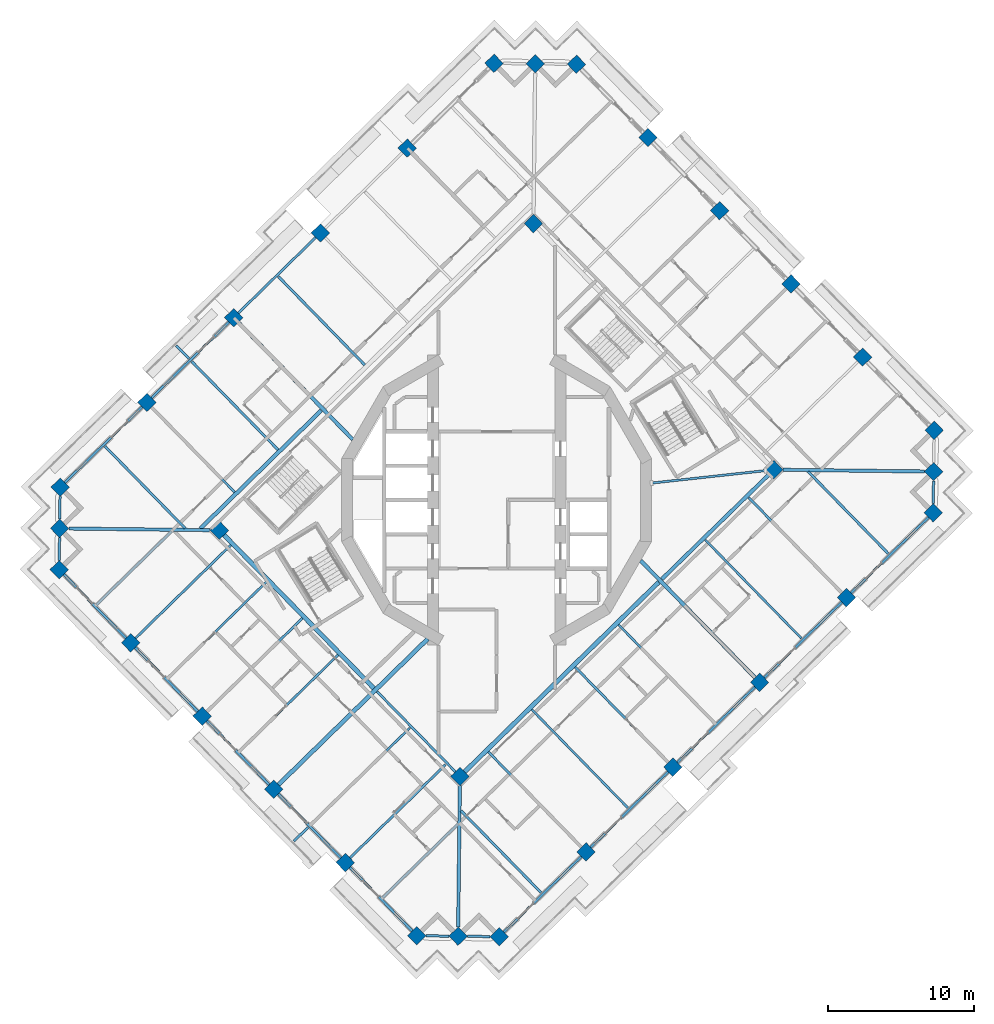
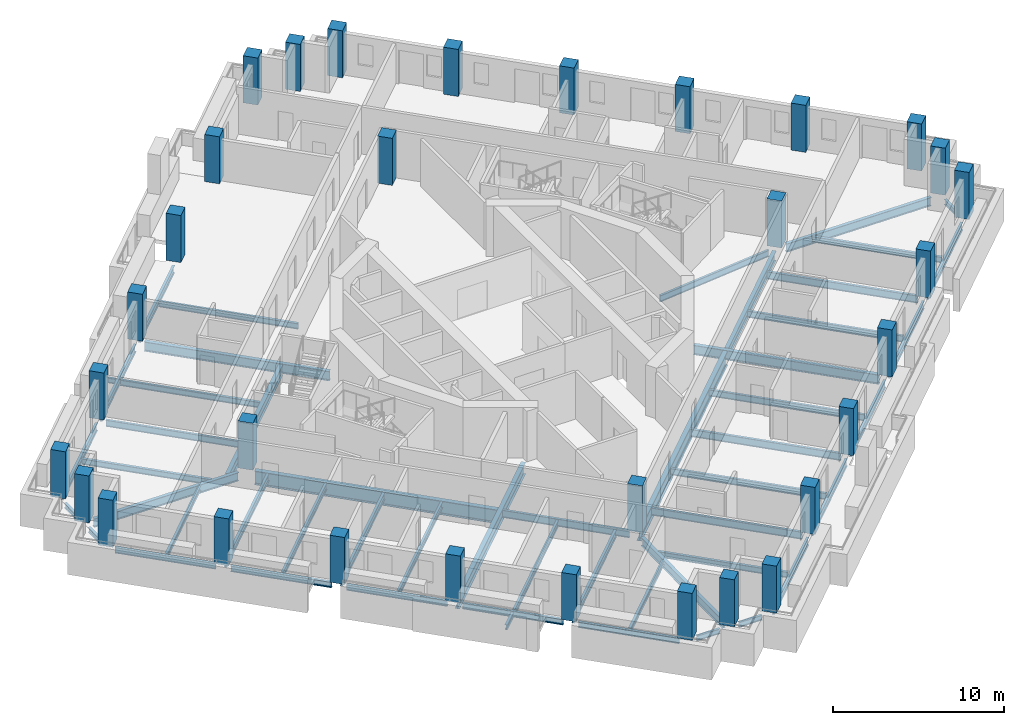
# One storey, part 1 of 19: 52 beams, 32 columns.
"""IFC4 building model written with IfcOpenShell, lengths in metres."""

from ifc_helpers import new_model, si_unit, direction, frame, origin, origin_2d, place, context, subcontext, project, spatial, rectangle, i_section, extrude, material, material_profile, profile_set, type_object, element, save


model = new_model("IFC4")

# Units and contexts
model_context = context("Model", 3, precision=1e-05, world=origin(), true_north=direction((0.0, 1.0)))
body_context = subcontext(model_context, "Body", "Model", "MODEL_VIEW")
ifc_project = project(units=[si_unit("LENGTHUNIT", "METRE"), si_unit("AREAUNIT", "SQUARE_METRE"), si_unit("VOLUMEUNIT", "CUBIC_METRE"), si_unit("PLANEANGLEUNIT", "RADIAN"), si_unit("MASSUNIT", "GRAM", prefix="KILO")], contexts=[model_context])

# Site, building, storey
site_placement = place(None, origin())
site = spatial("IfcSite", under=ifc_project, at=site_placement, CompositionType="ELEMENT")
building_placement = place(site_placement, origin())
building = spatial("IfcBuilding", under=site, at=building_placement, Name="Cantera Rosa Tower", CompositionType="ELEMENT")
storey_placement = place(building_placement, frame((0.0, 0.0, 216.199951171875)))
storey = spatial("IfcBuildingStorey", under=building, at=storey_placement, Name="L46", CompositionType="ELEMENT", Elevation=216.199951171875)

# Columns
ifc_material_1 = material(Name="Concrete C60/75", Category="concrete")
ifc_material_profile_1 = material_profile(ifc_material_1, rectangle(XDim=0.89990234375, YDim=0.89990234375, at=origin_2d()), Name="RC COLUMN RC900X900 C60/75")
ifc_profile_set_1 = profile_set([ifc_material_profile_1], Name="Concrete C60/75")
column_type_1 = type_object("IfcColumnType", Name="RC COLUMN RC900X900 C60/75", PredefinedType="COLUMN", material=ifc_profile_set_1)
for number, where, z_axis, x_axis, name in (
    (1, (30.003662109375, 4.77783203125, 0.0), (0.0, 0.0, 1.0), (0.71528629107, 0.698831540364, 0.0), "C-Z4-01 L46"),
    (2, (25.097900390625, 9.799072265625, 0.0), (0.0, 0.0, 1.0), (0.71528629107, 0.698831540364, 0.0), "C-Z4-02 L46"),
    (3, (20.19189453125, 14.8203125, 0.0), (0.0, 0.0, 1.0), (0.71528629107, 0.698831540364, 0.0), "C-Z4-03 L46"),
    (4, (15.2861328125, 19.841796875, 0.0), (0.0, 0.0, 1.0), (0.71528629107, 0.698831540364, 0.0), "C-Z4-04 L46"),
    (5, (10.38037109375, 24.863037109375, 0.0), (0.0, 0.0, 1.0), (0.71528629107, 0.698831540364, 0.0), "C-Z4-05 L46"),
    (6, (5.474609375, 29.88427734375, 0.0), (0.0, 0.0, 1.0), (0.71528629107, 0.698831540364, 0.0), "C-Z4-06 L46"),
    (7, (2.646484375, 29.917236328125, 0.0), (0.0, 0.0, 1.0), (0.71528629107, 0.698831540364, 0.0), "C-Z4-07 L46"),
    (8, (-0.181884765625, 29.9501953125, 0.0), (0.0, 0.0, 1.0), (0.71528629107, 0.698831540364, 0.0), "C-Z4-08 L46"),
    (9, (-6.133056640625, 24.1357421875, 0.0), (0.0, 0.0, 1.0), (0.71528629107, 0.698831540364, 0.0), "C-Z4-09 L46"),
    (10, (-12.084228515625, 18.321533203125, 0.0), (0.0, 0.0, 1.0), (0.71528629107, 0.698831540364, 0.0), "C-Z4-10 L46"),
    (11, (-18.035400390625, 12.50732421875, 0.0), (0.0, 0.0, 1.0), (0.71528629107, 0.698831540364, 0.0), "C-Z4-11 L46"),
    (12, (-23.986572265625, 6.693115234375, 0.0), (0.0, 0.0, 1.0), (0.71528629107, 0.698831540364, 0.0), "C-Z4-12 L46"),
    (13, (-29.937744140625, 0.878662109375, 0.0), (0.0, 0.0, 1.0), (0.71528629107, 0.698831540364, 0.0), "C-Z4-13 L46"),
    (14, (-29.970703125, -1.949462890625, 0.0), (0.0, 0.0, 1.0), (0.71528629107, 0.698831540364, 0.0), "C-Z4-14 L46"),
    (15, (-30.003662109375, -4.77783203125, 0.0), (0.0, 0.0, 1.0), (0.71528629107, 0.698831540364, 0.0), "C-Z4-15 L46"),
    (16, (-25.097900390625, -9.799072265625, 0.0), (0.0, 0.0, 1.0), (0.71528629107, 0.698831540364, 0.0), "C-Z4-16 L46"),
    (17, (-20.19189453125, -14.8203125, 0.0), (0.0, 0.0, 1.0), (0.71528629107, 0.698831540364, 0.0), "C-Z4-17 L46"),
    (18, (-15.2861328125, -19.841796875, 0.0), (0.0, 0.0, 1.0), (0.71528629107, 0.698831540364, 0.0), "C-Z4-18 L46"),
    (19, (-10.38037109375, -24.863037109375, 0.0), (0.0, 0.0, 1.0), (0.71528629107, 0.698831540364, 0.0), "C-Z4-19 L46"),
    (20, (-5.474609375, -29.88427734375, 0.0), (0.0, 0.0, 1.0), (0.71528629107, 0.698831540364, 0.0), "C-Z4-20 L46"),
    (21, (-2.646484375, -29.917236328125, 0.0), (0.0, 0.0, 1.0), (0.71528629107, 0.698831540364, 0.0), "C-Z4-21 L46"),
    (22, (0.181884765625, -29.9501953125, 0.0), (0.0, 0.0, 1.0), (0.71528629107, 0.698831540364, 0.0), "C-Z4-22 L46"),
    (23, (6.133056640625, -24.1357421875, 0.0), (0.0, 0.0, 1.0), (0.71528629107, 0.698831540364, 0.0), "C-Z4-23 L46"),
    (24, (12.084228515625, -18.321533203125, 0.0), (0.0, 0.0, 1.0), (0.71528629107, 0.698831540364, 0.0), "C-Z4-24 L46"),
    (25, (18.035400390625, -12.50732421875, 0.0), (0.0, 0.0, 1.0), (0.71528629107, 0.698831540364, 0.0), "C-Z4-25 L46"),
    (26, (23.986572265625, -6.693115234375, 0.0), (0.0, 0.0, 1.0), (0.71528629107, 0.698831540364, 0.0), "C-Z4-26 L46"),
    (27, (29.937744140625, -0.878662109375, 0.0), (0.0, 0.0, 1.0), (0.71528629107, 0.698831540364, 0.0), "C-Z4-27 L46"),
    (28, (29.970703125, 1.949462890625, 0.0), (0.0, 0.0, 1.0), (0.71528629107, 0.698831540364, 0.0), "C-Z4-28 L46"),
):
    element("IfcColumn", number, at=place(storey_placement, frame(where, z_axis=z_axis, x_axis=x_axis)), inside=storey, type_object=column_type_1, Name=name, PredefinedType="COLUMN", context=body_context, shape_type="SweptSolid", body=[
        extrude(rectangle(XDim=0.89990234375, YDim=0.89990234375, at=origin_2d()), origin(), (0.0, 0.0, 1.0), 3.35009765625),
    ])
ifc_material_2 = material(Name="Concrete C60/75", Category="concrete")
ifc_material_profile_2 = material_profile(ifc_material_2, rectangle(XDim=0.89990234375, YDim=0.89990234375, at=origin_2d()), Name="RC RING COLUMN RC900X900 C60/75")
ifc_profile_set_2 = profile_set([ifc_material_profile_2], Name="Concrete C60/75")
column_type_2 = type_object("IfcColumnType", Name="RC RING COLUMN RC900X900 C60/75", PredefinedType="COLUMN", material=ifc_profile_set_2)
for number, where, z_axis, x_axis, name in (
    (29, (2.518798828125, 18.957763671875, 0.0), (0.0, 0.0, 1.0), (0.71528629107, 0.698831540364, 0.0), "CI-Z4-1 L46"),
    (30, (-19.01123046875, -2.0771484375, 0.0), (0.0, 0.0, 1.0), (0.71528629107, 0.698831540364, 0.0), "CI-Z4-2 L46"),
    (31, (-2.518798828125, -18.957763671875, 0.0), (0.0, 0.0, 1.0), (0.71528629107, 0.698831540364, 0.0), "CI-Z4-3 L46"),
    (32, (19.01123046875, 2.0771484375, 0.0), (0.0, 0.0, 1.0), (0.71528629107, 0.698831540364, 0.0), "CI-Z4-4 L46"),
):
    element("IfcColumn", number, at=place(storey_placement, frame(where, z_axis=z_axis, x_axis=x_axis)), inside=storey, type_object=column_type_2, Name=name, PredefinedType="COLUMN", context=body_context, shape_type="SweptSolid", body=[
        extrude(rectangle(XDim=0.89990234375, YDim=0.89990234375, at=origin_2d()), origin(), (0.0, 0.0, 1.0), 3.35009765625),
    ])

# Beams
ifc_material_3 = material(Name="Steel ASTM A992 (Fy 345 MPa)", Category="steel")
ifc_material_profile_3 = material_profile(ifc_material_3, i_section(OverallWidth=0.300048828125, OverallDepth=0.990966796875, WebThickness=0.0166015625, FlangeThickness=0.030517578125, FilletRadius=0.030029296875, at=origin_2d()), Name="W1000X272")
ifc_profile_set_3 = profile_set([ifc_material_profile_3], Name="Steel ASTM A992 (Fy 345 MPa)")
beam_type_1 = type_object("IfcBeamType", Name="STEEL BEAM W1000X272", PredefinedType="BEAM", material=ifc_profile_set_3)
beam_1_placement = place(storey_placement, frame((-8.4169921875, -12.9208984375, -0.745361328125), z_axis=(-0.698826825527, 0.715290897415, 0.0), x_axis=(-0.715290897415, -0.698826825527, 0.0)))
element("IfcBeam", 33, at=beam_1_placement, inside=storey, type_object=beam_type_1, Name="RB-Z4-07 L46", PredefinedType="BEAM", context=body_context, shape_type="SweptSolid", body=[
    extrude(i_section(OverallWidth=0.300048828125, OverallDepth=0.990966796875, WebThickness=0.0166015625, FlangeThickness=0.030517578125, FilletRadius=0.030029296875, at=origin_2d()), origin(), (0.0, 0.0, 1.0), 14.7099609375),
])
ifc_material_4 = material(Name="Steel ASTM A992 (Fy 345 MPa)", Category="steel")
ifc_material_profile_4 = material_profile(ifc_material_4, i_section(OverallWidth=0.302001953125, OverallDepth=1.010009765625, WebThickness=0.02099609375, FlangeThickness=0.0400390625, FilletRadius=0.030029296875, at=origin_2d()), Name="W1000X350")
ifc_profile_set_4 = profile_set([ifc_material_profile_4], Name="Steel ASTM A992 (Fy 345 MPa)")
beam_type_2 = type_object("IfcBeamType", Name="STEEL BEAM W1000X350", PredefinedType="BEAM", material=ifc_profile_set_4)
beam_2_placement = place(storey_placement, frame((-2.197021484375, -18.643310546875, -0.7548828125), z_axis=(0.715290925107, 0.698826797182, 0.0), x_axis=(-0.698826797182, 0.715290925107, 0.0)))
element("IfcBeam", 34, at=beam_2_placement, inside=storey, type_object=beam_type_2, Name="RB-Z4-03 L46", PredefinedType="BEAM", context=body_context, shape_type="SweptSolid", body=[
    extrude(i_section(OverallWidth=0.302001953125, OverallDepth=1.010009765625, WebThickness=0.02099609375, FlangeThickness=0.0400390625, FilletRadius=0.030029296875, at=origin_2d()), origin(), (0.0, 0.0, 1.0), 18.60986328125),
])
ifc_material_5 = material(Name="Steel ASTM A992 (Fy 345 MPa)", Category="steel")
ifc_material_profile_5 = material_profile(ifc_material_5, i_section(OverallWidth=0.154052734375, OverallDepth=0.4599609375, WebThickness=0.009033203125, FlangeThickness=0.015380859375, FilletRadius=0.01025390625, at=origin_2d()), Name="W460X68")
ifc_profile_set_5 = profile_set([ifc_material_profile_5], Name="Steel ASTM A992 (Fy 345 MPa)")
beam_type_3 = type_object("IfcBeamType", Name="STEEL BEAM W460X68", PredefinedType="BEAM", material=ifc_profile_set_5)
beam_3_placement = place(storey_placement, frame((-23.672119140625, 6.37109375, -0.47998046875), z_axis=(0.698836133494, -0.715281803574, 0.0), x_axis=(0.715281803574, 0.698836133494, 0.0)))
element("IfcBeam", 35, at=beam_3_placement, inside=storey, type_object=beam_type_3, Name="G-Z4-08 L46", PredefinedType="BEAM", context=body_context, shape_type="SweptSolid", body=[
    extrude(i_section(OverallWidth=0.154052734375, OverallDepth=0.4599609375, WebThickness=0.009033203125, FlangeThickness=0.015380859375, FilletRadius=0.01025390625, at=origin_2d()), origin(), (0.0, 0.0, 1.0), 8.150146484375),
])
beam_4_placement = place(storey_placement, frame((18.44287109375, 2.014892578125, -0.47998046875), z_axis=(-0.994086100692, -0.108594771563, 0.0), x_axis=(0.108594771563, -0.994086100692, 0.0)))
element("IfcBeam", 36, at=beam_4_placement, inside=storey, type_object=beam_type_3, Name="PG-Z4-01 L46", PredefinedType="BEAM", context=body_context, shape_type="SweptSolid", body=[
    extrude(i_section(OverallWidth=0.154052734375, OverallDepth=0.4599609375, WebThickness=0.009033203125, FlangeThickness=0.015380859375, FilletRadius=0.01025390625, at=origin_2d()), origin(), (0.0, 0.0, 1.0), 7.864013671875),
])
ifc_material_6 = material(Name="Steel ASTM A992 (Fy 345 MPa)", Category="steel")
ifc_material_profile_6 = material_profile(ifc_material_6, i_section(OverallWidth=0.166015625, OverallDepth=0.528076171875, WebThickness=0.009765625, FlangeThickness=0.013671875, FilletRadius=0.0126953125, at=origin_2d()), Name="W530X74")
ifc_profile_set_6 = profile_set([ifc_material_profile_6], Name="Steel ASTM A992 (Fy 345 MPa)")
beam_type_4 = type_object("IfcBeamType", Name="STEEL BEAM W530X74", PredefinedType="BEAM", material=ifc_profile_set_6)
for number, where, z_axis, x_axis, name in (
    (37, (5.818603515625, -23.81396484375, -0.513916015625), (-0.698827481213, 0.71529025682, 0.0), (-0.71529025682, -0.698827481213, 0.0), "G-Z4-09 L46"),
    (38, (11.769775390625, -17.999755859375, -0.513916015625), (-0.698827481213, 0.71529025682, 0.0), (-0.71529025682, -0.698827481213, 0.0), "G-Z4-10 L46"),
    (39, (23.672119140625, -6.37109375, -0.513916015625), (-0.698827481213, 0.71529025682, 0.0), (-0.71529025682, -0.698827481213, 0.0), "G-Z4-12 L46"),
    (40, (-24.77587890625, -9.484619140625, -0.513916015625), (0.71529025682, 0.698827481213, 0.0), (-0.698827481213, 0.71529025682, 0.0), "G-Z4-13 L46"),
    (41, (-19.8701171875, -14.505859375, -0.513916015625), (0.71529025682, 0.698827481213, 0.0), (-0.698827481213, 0.71529025682, 0.0), "G-Z4-14 L46"),
    (42, (-10.05859375, -24.548583984375, -0.513916015625), (0.71529025682, 0.698827481213, 0.0), (-0.698827481213, 0.71529025682, 0.0), "G-Z4-16 L46"),
):
    element("IfcBeam", number, at=place(storey_placement, frame(where, z_axis=z_axis, x_axis=x_axis)), inside=storey, type_object=beam_type_4, Name=name, PredefinedType="BEAM", context=body_context, shape_type="SweptSolid", body=[
        extrude(i_section(OverallWidth=0.166015625, OverallDepth=0.528076171875, WebThickness=0.009765625, FlangeThickness=0.013671875, FilletRadius=0.0126953125, at=origin_2d()), origin(), (0.0, 0.0, 1.0), 9.14990234375),
    ])
beam_5_placement = place(storey_placement, frame((-2.833251953125, -18.635986328125, -0.513916015625), z_axis=(-0.698820376914, 0.71529719754, 0.0), x_axis=(-0.71529719754, -0.698820376914, 0.0)))
element("IfcBeam", 43, at=beam_5_placement, inside=storey, type_object=beam_type_4, Name="RB-Z4-06 L46", PredefinedType="BEAM", context=body_context, shape_type="SweptSolid", body=[
    extrude(i_section(OverallWidth=0.166015625, OverallDepth=0.528076171875, WebThickness=0.009765625, FlangeThickness=0.013671875, FilletRadius=0.0126953125, at=origin_2d()), origin(), (0.0, 0.0, 1.0), 7.690185546875),
])
ifc_material_7 = material(Name="Steel ASTM A992 (Fy 345 MPa)", Category="steel")
ifc_material_profile_7 = material_profile(ifc_material_7, i_section(OverallWidth=0.22802734375, OverallDepth=0.60205078125, WebThickness=0.010498046875, FlangeThickness=0.014892578125, FilletRadius=0.0126953125, at=origin_2d()), Name="W610X101")
ifc_profile_set_7 = profile_set([ifc_material_profile_7], Name="Steel ASTM A992 (Fy 345 MPa)")
beam_type_5 = type_object("IfcBeamType", Name="STEEL BEAM W610X101", PredefinedType="BEAM", material=ifc_profile_set_7)
for number, where, z_axis, x_axis, name in (
    (44, (-29.334228515625, -1.95703125, -0.551025390625), (0.999932504919, -0.011618330597, 0.0), (0.011618330597, 0.999932504919, 0.0), "CB-Z4-02 L46"),
    (45, (-2.638916015625, -29.28076171875, -0.551025390625), (0.011618330597, 0.999932504919, 0.0), (-0.999932504919, 0.011618330597, 0.0), "CB-Z4-03 L46"),
    (46, (29.334228515625, 1.95703125, -0.551025390625), (-0.999932504919, 0.011618330597, 0.0), (-0.011618330597, -0.999932504919, 0.0), "CB-Z4-04 L46"),
):
    element("IfcBeam", number, at=place(storey_placement, frame(where, z_axis=z_axis, x_axis=x_axis)), inside=storey, type_object=beam_type_5, Name=name, PredefinedType="BEAM", context=body_context, shape_type="SweptSolid", body=[
        extrude(i_section(OverallWidth=0.22802734375, OverallDepth=0.60205078125, WebThickness=0.010498046875, FlangeThickness=0.014892578125, FilletRadius=0.0126953125, at=origin_2d()), origin(), (0.0, 0.0, 1.0), 9.687255859375),
    ])
ifc_material_8 = material(Name="Steel ASTM A992 (Fy 345 MPa)", Category="steel")
ifc_material_profile_8 = material_profile(ifc_material_8, i_section(OverallWidth=0.25390625, OverallDepth=0.677978515625, WebThickness=0.01171875, FlangeThickness=0.016357421875, FilletRadius=0.01513671875, at=origin_2d()), Name="W690X125")
ifc_profile_set_8 = profile_set([ifc_material_profile_8], Name="Steel ASTM A992 (Fy 345 MPa)")
beam_type_6 = type_object("IfcBeamType", Name="STEEL BEAM W690X125", PredefinedType="BEAM", material=ifc_profile_set_8)
for number, where, z_axis, x_axis, name in (
    (47, (-17.720947265625, 12.185302734375, -0.5888671875), (0.698831358516, -0.715286468734, 0.0), (0.715286468734, 0.698831358516, 0.0), "G-Z4-07 L46"),
    (48, (17.720947265625, -12.185302734375, -0.5888671875), (-0.698831358516, 0.715286468734, 0.0), (-0.715286468734, -0.698831358516, 0.0), "G-Z4-11 L46"),
):
    element("IfcBeam", number, at=place(storey_placement, frame(where, z_axis=z_axis, x_axis=x_axis)), inside=storey, type_object=beam_type_6, Name=name, PredefinedType="BEAM", context=body_context, shape_type="SweptSolid", body=[
        extrude(i_section(OverallWidth=0.25390625, OverallDepth=0.677978515625, WebThickness=0.01171875, FlangeThickness=0.016357421875, FilletRadius=0.01513671875, at=origin_2d()), origin(), (0.0, 0.0, 1.0), 11.2314453125),
    ])
beam_6_placement = place(storey_placement, frame((11.3291015625, -5.428466796875, -0.5888671875), z_axis=(0.715291776896, 0.698825925324, 0.0), x_axis=(-0.698825925324, 0.715291776896, 0.0)))
element("IfcBeam", 49, at=beam_6_placement, inside=storey, type_object=beam_type_6, Name="RB-Z4-04 L46", PredefinedType="BEAM", context=body_context, shape_type="SweptSolid", body=[
    extrude(i_section(OverallWidth=0.25390625, OverallDepth=0.677978515625, WebThickness=0.01171875, FlangeThickness=0.016357421875, FilletRadius=0.01513671875, at=origin_2d()), origin(), (0.0, 0.0, 1.0), 10.2900390625),
])
ifc_material_9 = material(Name="Steel ASTM A992 (Fy 345 MPa)", Category="steel")
ifc_material_profile_9 = material_profile(ifc_material_9, i_section(OverallWidth=0.26708984375, OverallDepth=0.75390625, WebThickness=0.01318359375, FlangeThickness=0.01708984375, FilletRadius=0.0166015625, at=origin_2d()), Name="W760X147")
ifc_profile_set_9 = profile_set([ifc_material_profile_9], Name="Steel ASTM A992 (Fy 345 MPa)")
beam_type_7 = type_object("IfcBeamType", Name="STEEL BEAM W760X147", PredefinedType="BEAM", material=ifc_profile_set_9)
beam_7_placement = place(storey_placement, frame((-20.318115234375, -1.955810546875, -0.626953125), z_axis=(0.715284592672, 0.698833278749, 0.0), x_axis=(-0.698833278749, 0.715284592672, 0.0)))
element("IfcBeam", 50, at=beam_7_placement, inside=storey, type_object=beam_type_7, Name="RB-Z4-01 L46", PredefinedType="BEAM", context=body_context, shape_type="SweptSolid", body=[
    extrude(i_section(OverallWidth=0.26708984375, OverallDepth=0.75390625, WebThickness=0.01318359375, FlangeThickness=0.01708984375, FilletRadius=0.0166015625, at=origin_2d()), origin(), (0.0, 0.0, 1.0), 11.590087890625),
])
ifc_material_10 = material(Name="Steel ASTM A992 (Fy 345 MPa)", Category="steel")
ifc_material_profile_10 = material_profile(ifc_material_10, i_section(OverallWidth=0.2919921875, OverallDepth=0.8359375, WebThickness=0.013916015625, FlangeThickness=0.018798828125, FilletRadius=0.017822265625, at=origin_2d()), Name="W840X176")
ifc_profile_set_10 = profile_set([ifc_material_profile_10], Name="Steel ASTM A992 (Fy 345 MPa)")
beam_type_8 = type_object("IfcBeamType", Name="STEEL BEAM W840X176", PredefinedType="BEAM", material=ifc_profile_set_10)
beam_8_placement = place(storey_placement, frame((-14.96435546875, -19.527099609375, -0.66796875), z_axis=(0.715288446628, 0.698829334045, 0.0), x_axis=(-0.698829334045, 0.715288446628, 0.0)))
element("IfcBeam", 51, at=beam_8_placement, inside=storey, type_object=beam_type_8, Name="G-Z4-15 L46", PredefinedType="BEAM", context=body_context, shape_type="SweptSolid", body=[
    extrude(i_section(OverallWidth=0.2919921875, OverallDepth=0.8359375, WebThickness=0.013916015625, FlangeThickness=0.018798828125, FilletRadius=0.017822265625, at=origin_2d()), origin(), (0.0, 0.0, 1.0), 14.299072265625),
])
ifc_material_11 = material(Name="Steel ASTM A992 (Fy 345 MPa)", Category="steel")
ifc_material_profile_11 = material_profile(ifc_material_11, i_section(OverallWidth=0.1708984375, OverallDepth=0.35595703125, WebThickness=0.00732421875, FlangeThickness=0.01171875, FilletRadius=0.010009765625, at=origin_2d()), Name="W360X51")
ifc_profile_set_11 = profile_set([ifc_material_profile_11], Name="Steel ASTM A992 (Fy 345 MPa)")
beam_type_9 = type_object("IfcBeamType", Name="STEEL JOIST W360X51", PredefinedType="JOIST", material=ifc_profile_set_11)
for number, where, z_axis, x_axis, name in (
    (52, (-27.443359375, -7.18359375, -0.427978515625), (0.715287213552, 0.69883059616, 0.0), (-0.69883059616, 0.715287213552, 0.0), "B-Z4-16 L46"),
    (53, (-7.8203125, -27.268798828125, -0.427978515625), (0.715287213552, 0.69883059616, 0.0), (-0.69883059616, 0.715287213552, 0.0), "B-Z4-20 L46"),
):
    element("IfcBeam", number, at=place(storey_placement, frame(where, z_axis=z_axis, x_axis=x_axis)), inside=storey, type_object=beam_type_9, Name=name, PredefinedType="JOIST", context=body_context, shape_type="SweptSolid", body=[
        extrude(i_section(OverallWidth=0.1708984375, OverallDepth=0.35595703125, WebThickness=0.00732421875, FlangeThickness=0.01171875, FilletRadius=0.010009765625, at=origin_2d()), origin(), (0.0, 0.0, 1.0), 7.2099609375),
    ])
beam_9_placement = place(storey_placement, frame((-21.101806640625, 9.693115234375, -0.427978515625), z_axis=(-0.698855744509, 0.715262642927, 0.0), x_axis=(-0.715262642927, -0.698855744509, 0.0)))
element("IfcBeam", 54, at=beam_9_placement, inside=storey, type_object=beam_type_9, Name="BS-Z4-03 L46", PredefinedType="JOIST", context=body_context, shape_type="SweptSolid", body=[
    extrude(i_section(OverallWidth=0.1708984375, OverallDepth=0.35595703125, WebThickness=0.00732421875, FlangeThickness=0.01171875, FilletRadius=0.010009765625, at=origin_2d()), origin(), (0.0, 0.0, 1.0), 1.25),
])
beam_10_placement = place(storey_placement, frame((-12.92626953125, -22.443115234375, -0.427978515625), z_axis=(-0.715278545481, -0.698839468243, 0.0), x_axis=(0.698839468243, -0.715278545481, 0.0)))
element("IfcBeam", 55, at=beam_10_placement, inside=storey, type_object=beam_type_9, Name="BS-Z4-04 L46", PredefinedType="JOIST", context=body_context, shape_type="SweptSolid", body=[
    extrude(i_section(OverallWidth=0.1708984375, OverallDepth=0.35595703125, WebThickness=0.00732421875, FlangeThickness=0.01171875, FilletRadius=0.010009765625, at=origin_2d()), origin(), (0.0, 0.0, 1.0), 1.3662109375),
])
ifc_material_12 = material(Name="Steel ASTM A992 (Fy 345 MPa)", Category="steel")
ifc_material_profile_12 = material_profile(ifc_material_12, i_section(OverallWidth=0.177978515625, OverallDepth=0.406005859375, WebThickness=0.0078125, FlangeThickness=0.0126953125, FilletRadius=0.01025390625, at=origin_2d()), Name="W410X60")
ifc_profile_set_12 = profile_set([ifc_material_profile_12], Name="Steel ASTM A992 (Fy 345 MPa)")
beam_type_10 = type_object("IfcBeamType", Name="STEEL JOIST W410X60", PredefinedType="JOIST", material=ifc_profile_set_12)
for number, where, z_axis, x_axis, name in (
    (56, (-14.955078125, 15.30712890625, -0.452880859375), (0.698839235604, -0.715278772774, 0.0), (0.715278772774, 0.698839235604, 0.0), "B-Z4-08 L46"),
    (57, (-20.90625, 9.492919921875, -0.452880859375), (0.698839235604, -0.715278772774, 0.0), (0.715278772774, 0.698839235604, 0.0), "B-Z4-09 L46"),
):
    element("IfcBeam", number, at=place(storey_placement, frame(where, z_axis=z_axis, x_axis=x_axis)), inside=storey, type_object=beam_type_10, Name=name, PredefinedType="JOIST", context=body_context, shape_type="SweptSolid", body=[
        extrude(i_section(OverallWidth=0.177978515625, OverallDepth=0.406005859375, WebThickness=0.0078125, FlangeThickness=0.0126953125, FilletRadius=0.01025390625, at=origin_2d()), origin(), (0.0, 0.0, 1.0), 8.4501953125),
    ])
for number, where, z_axis, x_axis, name in (
    (58, (-26.857421875, 3.678466796875, -0.452880859375), (0.698843394481, -0.715274709458, 0.0), (0.715274709458, 0.698843394481, 0.0), "B-Z4-10 L46"),
    (59, (3.052734375, -26.935791015625, -0.452880859375), (-0.698827868311, 0.715289878631, 0.0), (-0.715289878631, -0.698827868311, 0.0), "B-Z4-11 L46"),
    (60, (26.857421875, -3.678466796875, -0.452880859375), (-0.698843394481, 0.715274709458, 0.0), (-0.715274709458, -0.698843394481, 0.0), "B-Z4-15 L46"),
):
    element("IfcBeam", number, at=place(storey_placement, frame(where, z_axis=z_axis, x_axis=x_axis)), inside=storey, type_object=beam_type_10, Name=name, PredefinedType="JOIST", context=body_context, shape_type="SweptSolid", body=[
        extrude(i_section(OverallWidth=0.177978515625, OverallDepth=0.406005859375, WebThickness=0.0078125, FlangeThickness=0.0126953125, FilletRadius=0.01025390625, at=origin_2d()), origin(), (0.0, 0.0, 1.0), 7.860107421875),
    ])
ifc_material_13 = material(Name="Steel ASTM A992 (Fy 345 MPa)", Category="steel")
ifc_material_profile_13 = material_profile(ifc_material_13, i_section(OverallWidth=0.154052734375, OverallDepth=0.4599609375, WebThickness=0.009033203125, FlangeThickness=0.015380859375, FilletRadius=0.01025390625, at=origin_2d()), Name="W460X68")
ifc_profile_set_13 = profile_set([ifc_material_profile_13], Name="Steel ASTM A992 (Fy 345 MPa)")
beam_type_11 = type_object("IfcBeamType", Name="STEEL JOIST W460X68", PredefinedType="JOIST", material=ifc_profile_set_13)
beam_11_placement = place(storey_placement, frame((9.00390625, -21.121337890625, -0.47998046875), z_axis=(-0.698843443844, 0.715274661229, 0.0), x_axis=(-0.715274661229, -0.698843443844, 0.0)))
element("IfcBeam", 61, at=beam_11_placement, inside=storey, type_object=beam_type_11, Name="B-Z4-12 L46", PredefinedType="JOIST", context=body_context, shape_type="SweptSolid", body=[
    extrude(i_section(OverallWidth=0.154052734375, OverallDepth=0.4599609375, WebThickness=0.009033203125, FlangeThickness=0.015380859375, FilletRadius=0.01025390625, at=origin_2d()), origin(), (0.0, 0.0, 1.0), 9.449951171875),
])
for number, where, z_axis, x_axis, name in (
    (62, (14.955078125, -15.30712890625, -0.47998046875), (-0.698830529832, 0.715287278354, 0.0), (-0.715287278354, -0.698830529832, 0.0), "B-Z4-13 L46"),
    (63, (20.90625, -9.492919921875, -0.47998046875), (-0.698830529832, 0.715287278354, 0.0), (-0.715287278354, -0.698830529832, 0.0), "B-Z4-14 L46"),
    (64, (-22.53759765625, -12.204833984375, -0.47998046875), (0.715287278354, 0.698830529832, 0.0), (-0.698830529832, 0.715287278354, 0.0), "B-Z4-17 L46"),
    (65, (-17.6318359375, -17.226318359375, -0.47998046875), (0.715287278354, 0.698830529832, 0.0), (-0.698830529832, 0.715287278354, 0.0), "B-Z4-18 L46"),
    (66, (-12.72607421875, -22.24755859375, -0.47998046875), (0.715287278354, 0.698830529832, 0.0), (-0.698830529832, 0.715287278354, 0.0), "B-Z4-19 L46"),
):
    element("IfcBeam", number, at=place(storey_placement, frame(where, z_axis=z_axis, x_axis=x_axis)), inside=storey, type_object=beam_type_11, Name=name, PredefinedType="JOIST", context=body_context, shape_type="SweptSolid", body=[
        extrude(i_section(OverallWidth=0.154052734375, OverallDepth=0.4599609375, WebThickness=0.009033203125, FlangeThickness=0.015380859375, FilletRadius=0.01025390625, at=origin_2d()), origin(), (0.0, 0.0, 1.0), 9.4501953125),
    ])
ifc_material_14 = material(Name="Steel ASTM A992 (Fy 345 MPa)", Category="steel")
ifc_material_profile_14 = material_profile(ifc_material_14, i_section(OverallWidth=0.1708984375, OverallDepth=0.35595703125, WebThickness=0.00732421875, FlangeThickness=0.01171875, FilletRadius=0.010009765625, at=origin_2d()), Name="W360X51")
ifc_profile_set_14 = profile_set([ifc_material_profile_14], Name="Steel ASTM A992 (Fy 345 MPa)")
beam_type_12 = type_object("IfcBeamType", Name="STEEL SPANDREL BEAM W360X51", PredefinedType="SPANDREL", material=ifc_profile_set_14)
beam_12_placement = place(storey_placement, frame((-29.945068359375, 0.242431640625, -0.427978515625), z_axis=(-0.011769429589, -0.999930737865, 0.0), x_axis=(0.999930737865, -0.011769429589, 0.0)))
element("IfcBeam", 67, at=beam_12_placement, inside=storey, type_object=beam_type_12, Name="EB-Z4-13 L46", PredefinedType="SPANDREL", context=body_context, shape_type="SweptSolid", body=[
    extrude(i_section(OverallWidth=0.1708984375, OverallDepth=0.35595703125, WebThickness=0.00732421875, FlangeThickness=0.01171875, FilletRadius=0.010009765625, at=origin_2d()), origin(), (0.0, 0.0, 1.0), 1.5556640625),
])
for number, where, z_axis, x_axis, name in (
    (68, (-29.97802734375, -2.5859375, -0.427978515625), (-0.011614347636, -0.99993255119, 0.0), (0.99993255119, -0.011614347636, 0.0), "EB-Z4-14 L46"),
    (69, (-4.838134765625, -29.8916015625, -0.427978515625), (0.999930716123, -0.011771276677, 0.0), (0.011771276677, 0.999930716123, 0.0), "EB-Z4-20 L46"),
    (70, (-2.010009765625, -29.924560546875, -0.427978515625), (0.99993255119, -0.011614347636, 0.0), (0.011614347636, 0.99993255119, 0.0), "EB-Z4-21 L46"),
):
    element("IfcBeam", number, at=place(storey_placement, frame(where, z_axis=z_axis, x_axis=x_axis)), inside=storey, type_object=beam_type_12, Name=name, PredefinedType="SPANDREL", context=body_context, shape_type="SweptSolid", body=[
        extrude(i_section(OverallWidth=0.1708984375, OverallDepth=0.35595703125, WebThickness=0.00732421875, FlangeThickness=0.01171875, FilletRadius=0.010009765625, at=origin_2d()), origin(), (0.0, 0.0, 1.0), 1.555419921875),
    ])
beam_13_placement = place(storey_placement, frame((29.945068359375, -0.242431640625, -0.427978515625), z_axis=(0.011769429589, 0.999930737865, 0.0), x_axis=(-0.999930737865, 0.011769429589, 0.0)))
element("IfcBeam", 71, at=beam_13_placement, inside=storey, type_object=beam_type_12, Name="EB-Z4-27 L46", PredefinedType="SPANDREL", context=body_context, shape_type="SweptSolid", body=[
    extrude(i_section(OverallWidth=0.1708984375, OverallDepth=0.35595703125, WebThickness=0.00732421875, FlangeThickness=0.01171875, FilletRadius=0.010009765625, at=origin_2d()), origin(), (0.0, 0.0, 1.0), 1.5556640625),
])
ifc_material_15 = material(Name="Steel ASTM A992 (Fy 345 MPa)", Category="steel")
ifc_material_profile_15 = material_profile(ifc_material_15, i_section(OverallWidth=0.177978515625, OverallDepth=0.406005859375, WebThickness=0.0078125, FlangeThickness=0.0126953125, FilletRadius=0.01025390625, at=origin_2d()), Name="W410X60")
ifc_profile_set_15 = profile_set([ifc_material_profile_15], Name="Steel ASTM A992 (Fy 345 MPa)")
beam_type_13 = type_object("IfcBeamType", Name="STEEL SPANDREL BEAM W410X60", PredefinedType="SPANDREL", material=ifc_profile_set_15)
beam_14_placement = place(storey_placement, frame((-29.689208984375, -5.099609375, -0.452880859375), z_axis=(0.69882117953, -0.715296413412, 0.0), x_axis=(0.715296413412, 0.69882117953, 0.0)))
element("IfcBeam", 72, at=beam_14_placement, inside=storey, type_object=beam_type_13, Name="EB-Z4-15 L46", PredefinedType="SPANDREL", context=body_context, shape_type="SweptSolid", body=[
    extrude(i_section(OverallWidth=0.177978515625, OverallDepth=0.406005859375, WebThickness=0.0078125, FlangeThickness=0.0126953125, FilletRadius=0.01025390625, at=origin_2d()), origin(), (0.0, 0.0, 1.0), 6.1201171875),
])
for number, where, z_axis, x_axis, name in (
    (73, (-24.783203125, -10.120849609375, -0.452880859375), (0.698800768177, -0.715316354067, 0.0), (0.715316354067, 0.698800768177, 0.0), "EB-Z4-16 L46"),
    (74, (-19.87744140625, -15.142333984375, -0.452880859375), (0.698841120217, -0.71527693147, 0.0), (0.71527693147, 0.698841120217, 0.0), "EB-Z4-17 L46"),
    (75, (-14.9716796875, -20.16357421875, -0.452880859375), (0.698841120217, -0.71527693147, 0.0), (0.71527693147, 0.698841120217, 0.0), "EB-Z4-18 L46"),
):
    element("IfcBeam", number, at=place(storey_placement, frame(where, z_axis=z_axis, x_axis=x_axis)), inside=storey, type_object=beam_type_13, Name=name, PredefinedType="SPANDREL", context=body_context, shape_type="SweptSolid", body=[
        extrude(i_section(OverallWidth=0.177978515625, OverallDepth=0.406005859375, WebThickness=0.0078125, FlangeThickness=0.0126953125, FilletRadius=0.01025390625, at=origin_2d()), origin(), (0.0, 0.0, 1.0), 6.119873046875),
    ])
beam_15_placement = place(storey_placement, frame((-10.06591796875, -25.184814453125, -0.452880859375), z_axis=(0.69882117953, -0.715296413412, 0.0), x_axis=(0.715296413412, 0.69882117953, 0.0)))
element("IfcBeam", 76, at=beam_15_placement, inside=storey, type_object=beam_type_13, Name="EB-Z4-19 L46", PredefinedType="SPANDREL", context=body_context, shape_type="SweptSolid", body=[
    extrude(i_section(OverallWidth=0.177978515625, OverallDepth=0.406005859375, WebThickness=0.0078125, FlangeThickness=0.0126953125, FilletRadius=0.01025390625, at=origin_2d()), origin(), (0.0, 0.0, 1.0), 6.1201171875),
])
ifc_material_16 = material(Name="Steel ASTM A992 (Fy 345 MPa)", Category="steel")
ifc_material_profile_16 = material_profile(ifc_material_16, i_section(OverallWidth=0.166015625, OverallDepth=0.528076171875, WebThickness=0.009765625, FlangeThickness=0.013671875, FilletRadius=0.0126953125, at=origin_2d()), Name="W530X74")
ifc_profile_set_16 = profile_set([ifc_material_profile_16], Name="Steel ASTM A992 (Fy 345 MPa)")
beam_type_14 = type_object("IfcBeamType", Name="STEEL SPANDREL BEAM W530X74", PredefinedType="SPANDREL", material=ifc_profile_set_16)
for number, where, z_axis, x_axis, name in (
    (77, (-12.406005859375, 18.007080078125, -0.513916015625), (-0.715300826176, -0.698816662703, 0.0), (0.698816662703, -0.715300826176, 0.0), "EB-Z4-10 L46"),
    (78, (-18.357177734375, 12.19287109375, -0.513916015625), (-0.715300826176, -0.698816662703, 0.0), (0.698816662703, -0.715300826176, 0.0), "EB-Z4-11 L46"),
    (79, (-24.308349609375, 6.37841796875, -0.513916015625), (-0.715300826176, -0.698816662703, 0.0), (0.698816662703, -0.715300826176, 0.0), "EB-Z4-12 L46"),
):
    element("IfcBeam", number, at=place(storey_placement, frame(where, z_axis=z_axis, x_axis=x_axis)), inside=storey, type_object=beam_type_14, Name=name, PredefinedType="SPANDREL", context=body_context, shape_type="SweptSolid", body=[
        extrude(i_section(OverallWidth=0.166015625, OverallDepth=0.528076171875, WebThickness=0.009765625, FlangeThickness=0.013671875, FilletRadius=0.0126953125, at=origin_2d()), origin(), (0.0, 0.0, 1.0), 7.420166015625),
    ])
beam_16_placement = place(storey_placement, frame((0.503662109375, -29.6357421875, -0.513916015625), z_axis=(0.715284379566, 0.698833496871, 0.0), x_axis=(-0.698833496871, 0.715284379566, 0.0)))
element("IfcBeam", 80, at=beam_16_placement, inside=storey, type_object=beam_type_14, Name="EB-Z4-22 L46", PredefinedType="SPANDREL", context=body_context, shape_type="SweptSolid", body=[
    extrude(i_section(OverallWidth=0.166015625, OverallDepth=0.528076171875, WebThickness=0.009765625, FlangeThickness=0.013671875, FilletRadius=0.0126953125, at=origin_2d()), origin(), (0.0, 0.0, 1.0), 7.42041015625),
])
for number, where, z_axis, x_axis, name in (
    (81, (6.454833984375, -23.8212890625, -0.513916015625), (0.715300826176, 0.698816662703, 0.0), (-0.698816662703, 0.715300826176, 0.0), "EB-Z4-23 L46"),
    (82, (12.406005859375, -18.007080078125, -0.513916015625), (0.715300826176, 0.698816662703, 0.0), (-0.698816662703, 0.715300826176, 0.0), "EB-Z4-24 L46"),
    (83, (18.357177734375, -12.19287109375, -0.513916015625), (0.715300826176, 0.698816662703, 0.0), (-0.698816662703, 0.715300826176, 0.0), "EB-Z4-25 L46"),
    (84, (24.308349609375, -6.37841796875, -0.513916015625), (0.715300826176, 0.698816662703, 0.0), (-0.698816662703, 0.715300826176, 0.0), "EB-Z4-26 L46"),
):
    element("IfcBeam", number, at=place(storey_placement, frame(where, z_axis=z_axis, x_axis=x_axis)), inside=storey, type_object=beam_type_14, Name=name, PredefinedType="SPANDREL", context=body_context, shape_type="SweptSolid", body=[
        extrude(i_section(OverallWidth=0.166015625, OverallDepth=0.528076171875, WebThickness=0.009765625, FlangeThickness=0.013671875, FilletRadius=0.0126953125, at=origin_2d()), origin(), (0.0, 0.0, 1.0), 7.420166015625),
    ])

save(model, "model.ifc")
